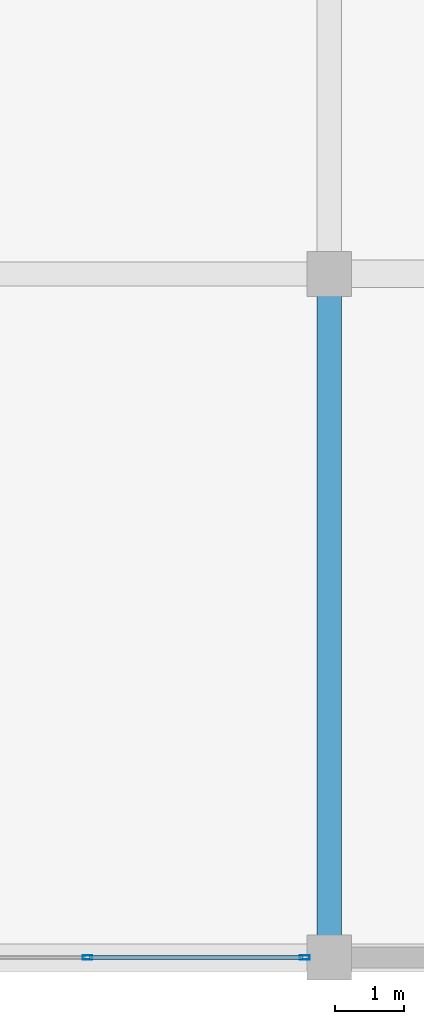
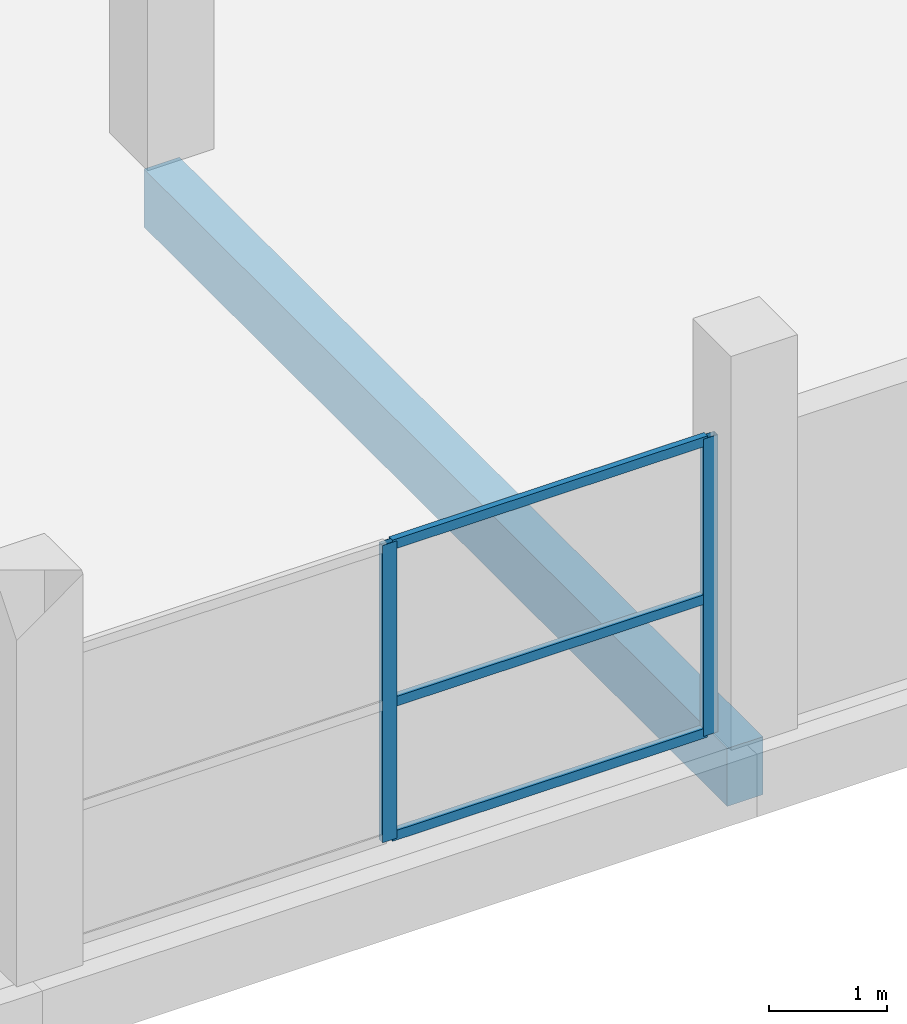
# One storey, part 4 of 70: 5 members, 1 beam, 1 element without a shape of its own.
"""IFC4 building model written with IfcOpenShell, lengths in metres."""

from ifc_helpers import new_model, si_unit, direction, frame, origin, origin_2d, place, context, subcontext, project, spatial, rectangle, hollow_rectangle, extrude, material, layer, layer_set, material_profile, profile_set, type_object, element, aggregate, save


model = new_model("IFC4")

# Units and contexts
model_context = context("Model", 3, precision=1e-05, world=origin(), true_north=direction((0.0, 1.0)))
body_context = subcontext(model_context, "Body", "Model", "MODEL_VIEW")
ifc_project = project(units=[si_unit("LENGTHUNIT", "METRE"), si_unit("AREAUNIT", "SQUARE_METRE"), si_unit("VOLUMEUNIT", "CUBIC_METRE"), si_unit("PLANEANGLEUNIT", "RADIAN"), si_unit("MASSUNIT", "GRAM", prefix="KILO")], contexts=[model_context])

# Site, building, storey
site_placement = place(None, origin())
site = spatial("IfcSite", under=ifc_project, at=site_placement, CompositionType="ELEMENT")
building_placement = place(site_placement, origin())
building = spatial("IfcBuilding", under=site, at=building_placement, Name="Sillaruma Civic Art Gallery", CompositionType="ELEMENT")
storey_placement = place(building_placement, frame((0.0, 0.0, 66.300048828125)))
storey = spatial("IfcBuildingStorey", under=building, at=storey_placement, Name="L13", CompositionType="ELEMENT", Elevation=66.300048828125)

# Beam
ifc_material_1 = material(Name="Concrete H35 (35 MPa)", Category="concrete")
ifc_material_profile_1 = material_profile(ifc_material_1, rectangle(XDim=0.35009765625, YDim=0.60009765625, at=origin_2d()), Name="RCB350x600")
ifc_profile_set_1 = profile_set([ifc_material_profile_1], Name="Concrete H35 (35 MPa)")
beam_type = type_object("IfcBeamType", Name="BM-BEAM-RCB350x600", PredefinedType="BEAM", material=ifc_profile_set_1)
beam_placement = place(storey_placement, frame((84.0, 19.800048828125, -0.530029296875), z_axis=(0.0, 1.0, 0.0), x_axis=(-1.0, 0.0, 0.0)))
element("IfcBeam", 1, at=beam_placement, inside=storey, type_object=beam_type, Name="Beam BM-06 (L12:J:3-4)", PredefinedType="BEAM", context=body_context, shape_type="SweptSolid", body=[
    extrude(rectangle(XDim=0.35009765625, YDim=0.60009765625, at=origin_2d()), origin(), (0.0, 0.0, 1.0), 9.89990234375),
])

# Curtain wall, members
ifc_material_2 = material(Name="Thermally Broken Extruded Aluminium 6063-T6", Category="aluminium")
ifc_layer = layer(ifc_material_2, 0.139892578125, Name="Thermally Broken Extruded Aluminium 6063-T6")
ifc_layer_set = layer_set([ifc_layer], Name="Thermally Broken Extruded Aluminium 6063-T6")
curtain_wall_type = type_object("IfcCurtainWallType", Name="CW-UNI-106", PredefinedType="NOTDEFINED", material=ifc_layer_set)
curtain_wall_placement = place(storey_placement, origin())
curtain_wall = element("IfcCurtainWall", 2, at=curtain_wall_placement, inside=storey, type_object=curtain_wall_type, Name="Unitised Curtain Wall CW-106 (CW-L13-WBS-3)", PredefinedType="NOTDEFINED")
ifc_material_profile_2 = material_profile(ifc_material_2, hollow_rectangle(XDim=0.06005859375, YDim=0.139892578125, WallThickness=0.00341796875, at=origin_2d()), Name="CWM60x140")
ifc_profile_set_2 = profile_set([ifc_material_profile_2], Name="Thermally Broken Extruded Aluminium 6063-T6")
member_type_1 = type_object("IfcMemberType", Name="MEM-MUL-CWM60x140", PredefinedType="MULLION", material=ifc_profile_set_2)
member_1_placement = place(storey_placement, frame((80.5, 19.800048828125, 0.0), z_axis=(0.0, 0.0, 1.0), x_axis=(0.0, 1.0, 0.0)))
member_1 = element("IfcMember", 3, at=member_1_placement, type_object=member_type_1, Name="CW-106 mullion 2", PredefinedType="MULLION", context=body_context, shape_type="SweptSolid", body=[
    extrude(hollow_rectangle(XDim=0.06005859375, YDim=0.139892578125, WallThickness=0.00341796875, at=origin_2d()), origin(), (0.0, 0.0, 1.0), 3.079833984375),
])
member_2_placement = place(storey_placement, frame((83.64501953125, 19.800048828125, 0.0), z_axis=(0.0, 0.0, 1.0), x_axis=(0.0, 1.0, 0.0)))
member_2 = element("IfcMember", 4, at=member_2_placement, type_object=member_type_1, Name="CW-106 mullion 3", PredefinedType="MULLION", context=body_context, shape_type="SweptSolid", body=[
    extrude(hollow_rectangle(XDim=0.06005859375, YDim=0.139892578125, WallThickness=0.00341796875, at=origin_2d()), origin(), (0.0, 0.0, 1.0), 3.079833984375),
])
ifc_material_profile_3 = material_profile(ifc_material_2, hollow_rectangle(XDim=0.06005859375, YDim=0.10009765625, WallThickness=0.003173828125, at=origin_2d()), Name="CWT60x100")
ifc_profile_set_3 = profile_set([ifc_material_profile_3], Name="Thermally Broken Extruded Aluminium 6063-T6")
member_type_2 = type_object("IfcMemberType", Name="MEM-TRN-CWT60x100", PredefinedType="USERDEFINED", material=ifc_profile_set_3)
member_3_placement = place(storey_placement, frame((80.530029296875, 19.800048828125, 0.030029296875), z_axis=(1.0, 0.0, 0.0), x_axis=(0.0, 1.0, 0.0)))
member_3 = element("IfcMember", 5, at=member_3_placement, type_object=member_type_2, Name="CW-106 transom 2.1", ObjectType="TRANSOM", PredefinedType="USERDEFINED", context=body_context, shape_type="SweptSolid", body=[
    extrude(hollow_rectangle(XDim=0.06005859375, YDim=0.10009765625, WallThickness=0.003173828125, at=origin_2d()), origin(), (0.0, 0.0, 1.0), 3.0849609375),
])
member_4_placement = place(storey_placement, frame((80.530029296875, 19.800048828125, 1.416748046875), z_axis=(1.0, 0.0, 0.0), x_axis=(0.0, 1.0, 0.0)))
member_4 = element("IfcMember", 6, at=member_4_placement, type_object=member_type_2, Name="CW-106 transom 2.2", ObjectType="TRANSOM", PredefinedType="USERDEFINED", context=body_context, shape_type="SweptSolid", body=[
    extrude(hollow_rectangle(XDim=0.06005859375, YDim=0.10009765625, WallThickness=0.003173828125, at=origin_2d()), origin(), (0.0, 0.0, 1.0), 3.0849609375),
])
member_5_placement = place(storey_placement, frame((80.530029296875, 19.800048828125, 3.050048828125), z_axis=(1.0, 0.0, 0.0), x_axis=(0.0, 1.0, 0.0)))
member_5 = element("IfcMember", 7, at=member_5_placement, type_object=member_type_2, Name="CW-106 transom 2.3", ObjectType="TRANSOM", PredefinedType="USERDEFINED", context=body_context, shape_type="SweptSolid", body=[
    extrude(hollow_rectangle(XDim=0.06005859375, YDim=0.10009765625, WallThickness=0.003173828125, at=origin_2d()), origin(), (0.0, 0.0, 1.0), 3.0849609375),
])
aggregate(curtain_wall, [member_1, member_2, member_3, member_4, member_5])

save(model, "model.ifc")
